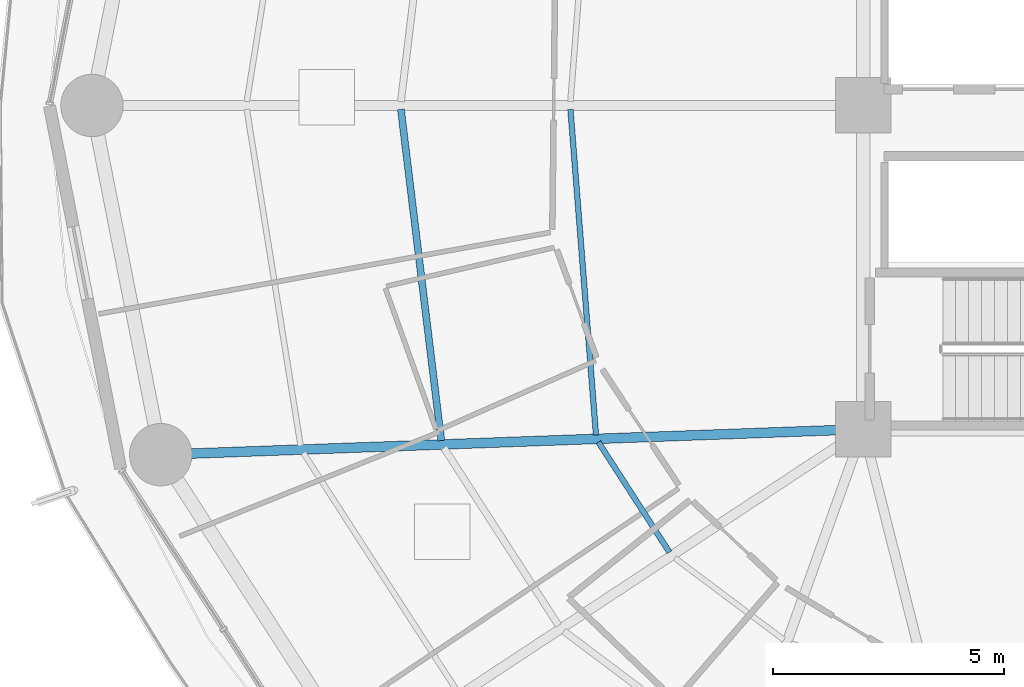
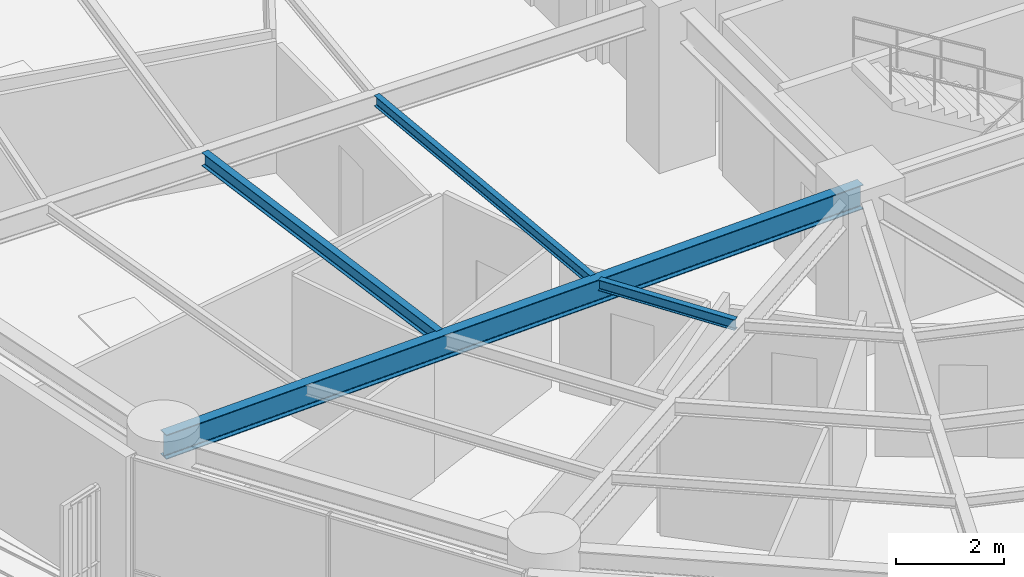
# One storey, part 7 of 35: 4 beams.
"""IFC4 building model written with IfcOpenShell, lengths in metres."""

from ifc_helpers import new_model, si_unit, direction, frame, origin, origin_2d, place, context, subcontext, project, spatial, i_section, extrude, material, material_profile, profile_set, type_object, element, save


model = new_model("IFC4")

# Units and contexts
model_context = context("Model", 3, precision=1e-05, world=origin(), true_north=direction((0.0, 1.0)))
body_context = subcontext(model_context, "Body", "Model", "MODEL_VIEW")
ifc_project = project(units=[si_unit("LENGTHUNIT", "METRE"), si_unit("AREAUNIT", "SQUARE_METRE"), si_unit("VOLUMEUNIT", "CUBIC_METRE"), si_unit("PLANEANGLEUNIT", "RADIAN"), si_unit("MASSUNIT", "GRAM", prefix="KILO")], contexts=[model_context])

# Site, building, storey
site_placement = place(None, origin())
site = spatial("IfcSite", under=ifc_project, at=site_placement, CompositionType="ELEMENT")
building_placement = place(site_placement, origin())
building = spatial("IfcBuilding", under=site, at=building_placement, Name="Kelanora Arch Commons", CompositionType="ELEMENT")
storey_placement = place(building_placement, frame((0.0, 0.0, 121.35009765625)))
storey = spatial("IfcBuildingStorey", under=building, at=storey_placement, Name="L31", CompositionType="ELEMENT", Elevation=121.35009765625)

# Beams
ifc_material = material(Name="Steel S355", Category="steel")
ifc_material_profile_1 = material_profile(ifc_material, i_section(OverallWidth=0.14990234375, OverallDepth=0.300048828125, WebThickness=0.007080078125, FlangeThickness=0.0107421875, FilletRadius=0.014892578125, at=origin_2d()), Name="IPE300")
ifc_profile_set_1 = profile_set([ifc_material_profile_1], Name="Steel S355")
beam_type_1 = type_object("IfcBeamType", Name="BM-JST-01", PredefinedType="JOIST", material=ifc_profile_set_1)
beam_1_placement = place(storey_placement, frame((56.002197265625, 57.91552734375, 3.33984375), z_axis=(0.120935645266, -0.992660349618, 0.0), x_axis=(0.992660349618, 0.120935645266, 0.0)))
element("IfcBeam", 1, at=beam_1_placement, inside=storey, type_object=beam_type_1, Name="Secondary Chord Joist BJB-18 L31", PredefinedType="JOIST", context=body_context, shape_type="SweptSolid", body=[
    extrude(i_section(OverallWidth=0.14990234375, OverallDepth=0.300048828125, WebThickness=0.007080078125, FlangeThickness=0.0107421875, FilletRadius=0.014892578125, at=origin_2d()), origin(), (0.0, 0.0, 1.0), 7.215087890625),
])
ifc_material_profile_2 = material_profile(ifc_material, i_section(OverallWidth=0.1201171875, OverallDepth=0.239990234375, WebThickness=0.006103515625, FlangeThickness=0.009765625, FilletRadius=0.014892578125, at=origin_2d()), Name="IPE240")
ifc_profile_set_2 = profile_set([ifc_material_profile_2], Name="Steel S355")
beam_type_2 = type_object("IfcBeamType", Name="BM-JST-02", PredefinedType="JOIST", material=ifc_profile_set_2)
beam_2_placement = place(storey_placement, frame((59.668212890625, 57.915283203125, 3.369873046875), z_axis=(0.078200677502, -0.996937637989, 0.0), x_axis=(0.996937637989, 0.078200677502, 0.0)))
element("IfcBeam", 2, at=beam_2_placement, inside=storey, type_object=beam_type_2, Name="Secondary Chord Joist BJA-18 L31", PredefinedType="JOIST", context=body_context, shape_type="SweptSolid", body=[
    extrude(i_section(OverallWidth=0.1201171875, OverallDepth=0.239990234375, WebThickness=0.006103515625, FlangeThickness=0.009765625, FilletRadius=0.014892578125, at=origin_2d()), origin(), (0.0, 0.0, 1.0), 7.06201171875),
])
beam_3_placement = place(storey_placement, frame((60.273193359375, 50.718994140625, 3.369873046875), z_axis=(0.542211255502, -0.840242199849, 0.0), x_axis=(0.840242199849, 0.542211255502, 0.0)))
element("IfcBeam", 3, at=beam_3_placement, inside=storey, type_object=beam_type_2, Name="Secondary Chord Joist BJA-20 L31", PredefinedType="JOIST", context=body_context, shape_type="SweptSolid", body=[
    extrude(i_section(OverallWidth=0.1201171875, OverallDepth=0.239990234375, WebThickness=0.006103515625, FlangeThickness=0.009765625, FilletRadius=0.014892578125, at=origin_2d()), origin(), (0.0, 0.0, 1.0), 2.83349609375),
])
ifc_material_profile_3 = material_profile(ifc_material, i_section(OverallWidth=0.2099609375, OverallDepth=0.550048828125, WebThickness=0.010986328125, FlangeThickness=0.01708984375, FilletRadius=0.02392578125, at=origin_2d()), Name="IPE550")
ifc_profile_set_3 = profile_set([ifc_material_profile_3], Name="Steel S355")
beam_type_3 = type_object("IfcBeamType", Name="BM-RAD-Z2", PredefinedType="BEAM", material=ifc_profile_set_3)
beam_4_placement = place(storey_placement, frame((66.0, 51.0, 3.21484375), z_axis=(-0.999341087625, -0.036295875581, 0.0), x_axis=(0.036295875581, -0.999341087625, 0.0)))
element("IfcBeam", 4, at=beam_4_placement, inside=storey, type_object=beam_type_3, Name="Radial Floor Girder BR-20 L31", PredefinedType="BEAM", context=body_context, shape_type="SweptSolid", body=[
    extrude(i_section(OverallWidth=0.2099609375, OverallDepth=0.550048828125, WebThickness=0.010986328125, FlangeThickness=0.01708984375, FilletRadius=0.02392578125, at=origin_2d()), origin(), (0.0, 0.0, 1.0), 15.20166015625),
])

save(model, "model.ifc")
